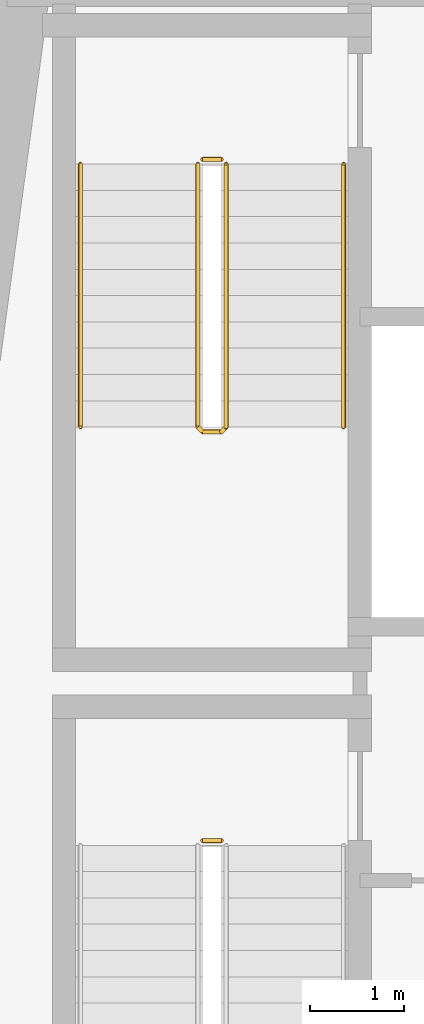
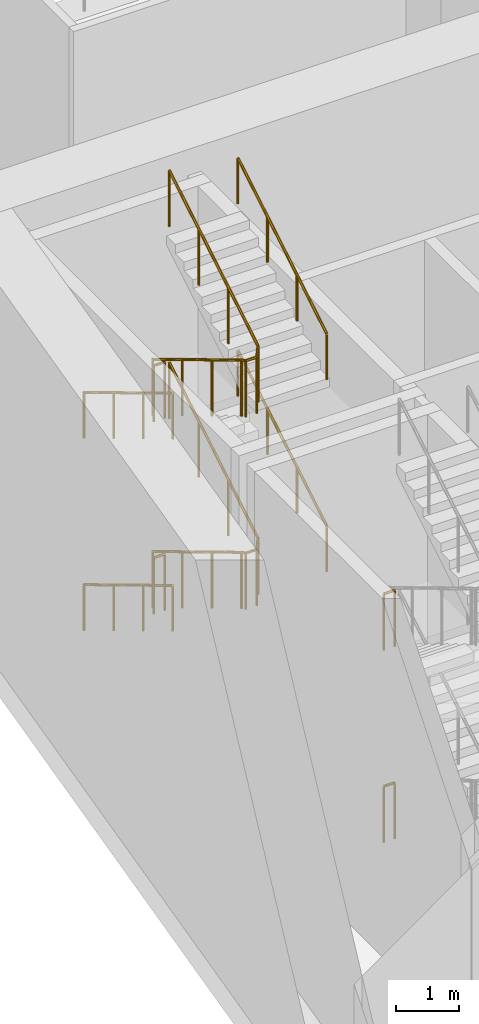
# One storey, part 8 of 10: 10 railings.
"""IFC4 building model written with IfcOpenShell, lengths in metres."""

import ifcopenshell
import ifcopenshell.guid

model = None  # the IFC model being written
_history = None  # IfcOwnerHistory: only IFC2X3 demands one
_inside = {}  # id of a spatial element -> (the spatial element, [elements in it])
_under = {}  # id of a project, library or spatial element -> (it, [spatial elements below it])
_declared = {}  # id of a project -> (the project, [libraries it declares])
_typed = {}  # id of a type object -> (the type object, [elements of that type])
_made_of = {}  # id of a material, layer set ... -> (it, [elements and type objects made of it])


def new_model(schema):
    """Start an empty IFC model of exactly this schema.

    Asked for "IFC4X3", IfcOpenShell would pick the latest addendum, in which some entities
    have other attributes; the version numbers below select the first issue.
    IFC2X3 requires an IfcOwnerHistory on every rooted entity: one is made here for all.
    """
    global model, _history
    if schema == "IFC4X3":
        model = ifcopenshell.file(schema_version=(4, 3, 0, 0))
    else:
        model = ifcopenshell.file(schema=schema)
    _inside.clear()
    _under.clear()
    _declared.clear()
    _typed.clear()
    _made_of.clear()
    _history = None
    if model.schema == "IFC2X3":
        org = make("IfcOrganization", Name="unknown")
        user = make(
            "IfcPersonAndOrganization",
            ThePerson=make("IfcPerson", FamilyName="unknown"),
            TheOrganization=org,
        )
        app = make(
            "IfcApplication",
            ApplicationDeveloper=org,
            Version="unknown",
            ApplicationFullName="unknown",
            ApplicationIdentifier="unknown",
        )
        _history = make(
            "IfcOwnerHistory",
            OwningUser=user,
            OwningApplication=app,
            ChangeAction="ADDED",
            CreationDate=0,
        )
    return model


def make(cls, **values):
    """One entity of the class cls with the attributes given. An attribute that is None is left unset."""
    return model.create_entity(
        cls, **{name: value for name, value in values.items() if value is not None}
    )


def rooted(cls, **values):
    """An entity with a GlobalId (a new one), such as an element, a storey or a relation."""
    return make(cls, GlobalId=ifcopenshell.guid.new(), OwnerHistory=_history, **values)


def si_unit(unit_type, name, prefix=None):
    """IfcSIUnit, for example si_unit("LENGTHUNIT", "METRE", prefix="MILLI")."""
    return make("IfcSIUnit", UnitType=unit_type, Prefix=prefix, Name=name)


def assignment(units):
    """IfcUnitAssignment: the units of a project."""
    return None if units is None else make("IfcUnitAssignment", Units=units)


def point(xyz):
    """IfcCartesianPoint."""
    return None if xyz is None else make("IfcCartesianPoint", Coordinates=xyz)


def direction(xyz):
    """IfcDirection."""
    return None if xyz is None else make("IfcDirection", DirectionRatios=xyz)


def frame(location, z_axis=None, x_axis=None):
    """IfcAxis2Placement3D, a coordinate frame: its origin and axes. An axis left out is left unset."""
    return make(
        "IfcAxis2Placement3D",
        Location=point(location),
        Axis=direction(z_axis),
        RefDirection=direction(x_axis),
    )


def frame_2d(location, x_axis=None):
    """IfcAxis2Placement2D, a coordinate frame in the plane: its origin and x axis."""
    return make(
        "IfcAxis2Placement2D", Location=point(location), RefDirection=direction(x_axis)
    )


def origin():
    """The frame at (0, 0, 0) with its axes left unset."""
    return frame((0.0, 0.0, 0.0))


def origin_2d():
    """The frame at (0, 0) in the plane with its x axis left unset."""
    return frame_2d((0.0, 0.0))


def place(relative_to, where):
    """IfcLocalPlacement: puts the frame where relative to a parent placement (None: the world)."""
    return make(
        "IfcLocalPlacement", PlacementRelTo=relative_to, RelativePlacement=where
    )


def context(
    kind, dimensions, precision=None, world=None, true_north=None, identifier=None
):
    """IfcGeometricRepresentationContext, for example the 3D "Model" context."""
    return make(
        "IfcGeometricRepresentationContext",
        ContextIdentifier=identifier,
        ContextType=kind,
        CoordinateSpaceDimension=dimensions,
        Precision=precision,
        WorldCoordinateSystem=world,
        TrueNorth=true_north,
    )


def subcontext(parent, identifier, kind, view, scale=None):
    """IfcGeometricRepresentationSubContext, for example "Body" below "Model"."""
    return make(
        "IfcGeometricRepresentationSubContext",
        ContextIdentifier=identifier,
        ContextType=kind,
        ParentContext=parent,
        TargetScale=scale,
        TargetView=view,
    )


def project(units=None, contexts=None):
    """IfcProject with its units and contexts."""
    return rooted(
        "IfcProject",
        Name="project",
        RepresentationContexts=contexts,
        UnitsInContext=assignment(units),
    )


def spatial(cls, under=None, at=None, **own):
    """A site, building, storey or space (cls), placed at a placement, below another one or the project."""
    s = rooted(cls, ObjectPlacement=at, **own)
    if under is not None:
        _under.setdefault(under.id(), (under, []))[1].append(s)
    return s


def profile(cls, at=None, kind="AREA", **sizes):
    """A parametric profile (cls). Its sizes go by their IFC names, for example OverallWidth=200.0."""
    return make(cls, ProfileType=kind, Position=at, **sizes)


def circle(**sizes):
    """IfcCircleProfileDef."""
    return profile("IfcCircleProfileDef", **sizes)


def extrude(swept, where, along, depth):
    """IfcExtrudedAreaSolid: the profile swept, set in the frame where, extruded along a direction by depth."""
    return make(
        "IfcExtrudedAreaSolid",
        SweptArea=swept,
        Position=where,
        ExtrudedDirection=direction(along),
        Depth=depth,
    )


def shape(context_of_items, identifier, shape_type, items):
    """IfcShapeRepresentation: the items that make up one representation, for example the "Body"."""
    return make(
        "IfcShapeRepresentation",
        ContextOfItems=context_of_items,
        RepresentationIdentifier=identifier,
        RepresentationType=shape_type,
        Items=items,
    )


def material(Name=None, Category=None):
    """IfcMaterial."""
    return make("IfcMaterial", Name=Name, Category=Category)


def made_of(thing, what):
    """Note that an element or type object is made of a material, layer set ...; save() writes the relation."""
    if what is not None:
        _made_of.setdefault(what.id(), (what, []))[1].append(thing)
    return thing


def type_object(cls, material=None, **own):
    """A type object (cls), such as IfcWallType, which elements share."""
    return made_of(rooted(cls, **own), material)


def element(
    cls,
    number,
    at=None,
    inside=None,
    cuts=None,
    type_object=None,
    material=None,
    context=None,
    identifier="Body",
    shape_type=None,
    held_by="IfcProductDefinitionShape",
    body=None,
    shapes=None,
    **own,
):
    """One element of the class cls, such as IfcWall. Its Tag is "e" and its number.

    at: its placement. inside: the storey or other place that contains it. cuts: it is an
    opening in that element (IfcRelVoidsElement). A single representation is given by context,
    identifier, shape_type and body (its items); several are given by shapes. held_by: the class
    of the entity that holds the representations. save() writes the other relations.
    """
    e = rooted(cls, Tag="e%d" % number, ObjectPlacement=at, **own)
    if body is not None:
        shapes = [shape(context, identifier, shape_type, body)]
    if shapes is not None:
        e.Representation = make(held_by, Representations=shapes)
    if inside is not None:
        _inside.setdefault(inside.id(), (inside, []))[1].append(e)
    if cuts is not None:
        rooted(
            "IfcRelVoidsElement", RelatingBuildingElement=cuts, RelatedOpeningElement=e
        )
    if type_object is not None:
        _typed.setdefault(type_object.id(), (type_object, []))[1].append(e)
    return made_of(e, material)


def aggregate(whole, parts):
    """IfcRelAggregates: a whole, such as a stair, and the parts it consists of."""
    return rooted("IfcRelAggregates", RelatingObject=whole, RelatedObjects=parts)


def save(model, path):
    """Write the relations noted so far, then the file.

    IfcRelAggregates (storeys below a building ...), IfcRelContainedInSpatialStructure (elements
    in a storey), IfcRelDefinesByType, IfcRelAssociatesMaterial and IfcRelDeclares: one each for
    every whole, place, type object, material and project.
    """
    for whole, parts in _under.values():
        aggregate(whole, parts)
    for where, things in _inside.values():
        rooted(
            "IfcRelContainedInSpatialStructure",
            RelatedElements=things,
            RelatingStructure=where,
        )
    for kind, things in _typed.values():
        rooted("IfcRelDefinesByType", RelatedObjects=things, RelatingType=kind)
    for what, things in _made_of.values():
        rooted("IfcRelAssociatesMaterial", RelatedObjects=things, RelatingMaterial=what)
    for by, libraries in _declared.values():
        rooted("IfcRelDeclares", RelatingContext=by, RelatedDefinitions=libraries)
    model.write(path)


model = new_model("IFC4")

# Units and contexts
model_context = context("Model", 3, precision=1e-05, world=origin(), true_north=direction((0.0, 1.0)))
body_context = subcontext(model_context, "Body", "Model", "MODEL_VIEW")
ifc_project = project(units=[si_unit("LENGTHUNIT", "METRE"), si_unit("AREAUNIT", "SQUARE_METRE"), si_unit("VOLUMEUNIT", "CUBIC_METRE"), si_unit("PLANEANGLEUNIT", "RADIAN"), si_unit("MASSUNIT", "GRAM", prefix="KILO")], contexts=[model_context])

# Site, building, storey
site_placement = place(None, origin())
site = spatial("IfcSite", under=ifc_project, at=site_placement, CompositionType="ELEMENT")
building_placement = place(site_placement, origin())
building = spatial("IfcBuilding", under=site, at=building_placement, Name="Candeia Pilgrim Tower and Theatre", CompositionType="ELEMENT")
storey_placement = place(building_placement, frame((0.0, 0.0, 135.39990234375)))
storey = spatial("IfcBuildingStorey", under=building, at=storey_placement, Name="L32", CompositionType="ELEMENT", Elevation=135.39990234375)

# Railings
ifc_material_1 = material(Name="Stainless steel balustrade", Category="steel")
railing_type_1 = type_object("IfcRailingType", Name="RL-GUARD-1100", PredefinedType="GUARDRAIL", material=ifc_material_1)
for number, where, name in (
    (1, (91.152099609375, 122.52490234375, 3.7001953125), "L32 ST1 stair guard 2"),
    (2, (91.152099609375, 122.52490234375, 0.0), "L32 ST1 stair guard 4"),
):
    element("IfcRailing", number, at=place(storey_placement, frame(where)), inside=storey, type_object=railing_type_1, Name=name, PredefinedType="GUARDRAIL", context=body_context, shape_type="SweptSolid", body=[
        extrude(circle(Radius=0.02392578125, at=origin_2d()), frame((0.0, 0.0, 1.076171875), z_axis=(1.0, 0.0, 0.0), x_axis=(0.0, 1.0, 0.0)), (0.0, 0.0, 1.0), 0.199951171875),
        extrude(circle(Radius=0.02099609375, at=origin_2d()), origin(), (0.0, 0.0, 1.0), 1.052001953125),
        extrude(circle(Radius=0.02099609375, at=origin_2d()), frame((0.199951171875, 0.0, 0.0)), (0.0, 0.0, 1.0), 1.052001953125),
    ])
railing_1_placement = place(storey_placement, frame((91.10205078125, 129.72509765625, 0.168212890625)))
element("IfcRailing", 3, at=railing_1_placement, inside=storey, type_object=railing_type_1, Name="L32 ST2 stair guard 1", PredefinedType="GUARDRAIL", context=body_context, shape_type="SweptSolid", body=[
    extrude(circle(Radius=0.02392578125, at=origin_2d()), frame((0.0, 0.0, 1.076171875), z_axis=(0.0, -0.857242210791, 0.514913383045), x_axis=(1.0, 0.0, 0.0)), (0.0, 0.0, 1.0), 3.266357421875),
    extrude(circle(Radius=0.02392578125, at=origin_2d()), frame((0.0, -2.800048828125, 2.7578125), z_axis=(0.707106781187, -0.707106781187, 0.0), x_axis=(0.707106781187, 0.707106781187, 0.0)), (0.0, 0.0, 1.0), 0.07080078125),
    extrude(circle(Radius=0.02392578125, at=origin_2d()), frame((0.050048828125, -2.85009765625, 2.7578125), z_axis=(1.0, 0.0, 0.0), x_axis=(0.0, 1.0, 0.0)), (0.0, 0.0, 1.0), 0.199951171875),
    extrude(circle(Radius=0.02392578125, at=origin_2d()), frame((0.25, -2.85009765625, 2.7578125), z_axis=(0.274243871929, 0.274243871929, 0.92172696468), x_axis=(-0.707106781187, 0.707106781187, 0.0)), (0.0, 0.0, 1.0), 0.1826171875),
    extrude(circle(Radius=0.02392578125, at=origin_2d()), frame((0.300048828125, -2.800048828125, 2.92626953125), z_axis=(0.0, 0.857242210791, 0.514913383045), x_axis=(-1.0, 0.0, 0.0)), (0.0, 0.0, 1.0), 3.266357421875),
    extrude(circle(Radius=0.02099609375, at=origin_2d()), origin(), (0.0, 0.0, 1.0), 1.052001953125),
    extrude(circle(Radius=0.02099609375, at=origin_2d()), frame((0.0, -0.933349609375, 0.560546875)), (0.0, 0.0, 1.0), 1.052001953125),
    extrude(circle(Radius=0.02099609375, at=origin_2d()), frame((0.0, -1.86669921875, 1.121337890625)), (0.0, 0.0, 1.0), 1.052001953125),
    extrude(circle(Radius=0.02099609375, at=origin_2d()), frame((0.0, -2.800048828125, 1.681884765625)), (0.0, 0.0, 1.0), 1.052001953125),
    extrude(circle(Radius=0.02099609375, at=origin_2d()), frame((0.050048828125, -2.85009765625, 1.681884765625)), (0.0, 0.0, 1.0), 1.052001953125),
    extrude(circle(Radius=0.02099609375, at=origin_2d()), frame((0.25, -2.85009765625, 1.681884765625)), (0.0, 0.0, 1.0), 1.052001953125),
    extrude(circle(Radius=0.02099609375, at=origin_2d()), frame((0.300048828125, -2.800048828125, 1.85009765625)), (0.0, 0.0, 1.0), 1.052001953125),
    extrude(circle(Radius=0.02099609375, at=origin_2d()), frame((0.300048828125, -1.86669921875, 2.41064453125)), (0.0, 0.0, 1.0), 1.052001953125),
    extrude(circle(Radius=0.02099609375, at=origin_2d()), frame((0.300048828125, -0.933349609375, 2.971435546875)), (0.0, 0.0, 1.0), 1.052001953125),
    extrude(circle(Radius=0.02099609375, at=origin_2d()), frame((0.300048828125, 0.0, 3.531982421875)), (0.0, 0.0, 1.0), 1.052001953125),
])
railing_2_placement = place(storey_placement, frame((91.152099609375, 129.77490234375, 3.7001953125)))
element("IfcRailing", 4, at=railing_2_placement, inside=storey, type_object=railing_type_1, Name="L32 ST2 stair guard 2", PredefinedType="GUARDRAIL", context=body_context, shape_type="SweptSolid", body=[
    extrude(circle(Radius=0.02392578125, at=origin_2d()), frame((0.0, 0.0, 1.076171875), z_axis=(1.0, 0.0, 0.0), x_axis=(0.0, 1.0, 0.0)), (0.0, 0.0, 1.0), 0.199951171875),
    extrude(circle(Radius=0.02099609375, at=origin_2d()), origin(), (0.0, 0.0, 1.0), 1.052001953125),
    extrude(circle(Radius=0.02099609375, at=origin_2d()), frame((0.199951171875, 0.0, 0.0)), (0.0, 0.0, 1.0), 1.052001953125),
])
railing_3_placement = place(storey_placement, frame((91.10205078125, 129.72509765625, 3.8681640625)))
element("IfcRailing", 5, at=railing_3_placement, inside=storey, type_object=railing_type_1, Name="L32 ST2 stair guard 3", PredefinedType="GUARDRAIL", context=body_context, shape_type="SweptSolid", body=[
    extrude(circle(Radius=0.02392578125, at=origin_2d()), frame((0.0, 0.0, 1.076171875), z_axis=(0.0, -0.857242210791, 0.514913383045), x_axis=(1.0, 0.0, 0.0)), (0.0, 0.0, 1.0), 3.266357421875),
    extrude(circle(Radius=0.02392578125, at=origin_2d()), frame((0.0, -2.800048828125, 2.7578125), z_axis=(0.707106781187, -0.707106781187, 0.0), x_axis=(0.707106781187, 0.707106781187, 0.0)), (0.0, 0.0, 1.0), 0.07080078125),
    extrude(circle(Radius=0.02392578125, at=origin_2d()), frame((0.050048828125, -2.85009765625, 2.7578125), z_axis=(1.0, 0.0, 0.0), x_axis=(0.0, 1.0, 0.0)), (0.0, 0.0, 1.0), 0.199951171875),
    extrude(circle(Radius=0.02392578125, at=origin_2d()), frame((0.25, -2.85009765625, 2.7578125), z_axis=(0.274243871929, 0.274243871929, 0.92172696468), x_axis=(-0.707106781187, 0.707106781187, 0.0)), (0.0, 0.0, 1.0), 0.1826171875),
    extrude(circle(Radius=0.02392578125, at=origin_2d()), frame((0.300048828125, -2.800048828125, 2.92626953125), z_axis=(0.0, 0.857242210791, 0.514913383045), x_axis=(-1.0, 0.0, 0.0)), (0.0, 0.0, 1.0), 3.266357421875),
    extrude(circle(Radius=0.02099609375, at=origin_2d()), origin(), (0.0, 0.0, 1.0), 1.052001953125),
    extrude(circle(Radius=0.02099609375, at=origin_2d()), frame((0.0, -0.933349609375, 0.560546875)), (0.0, 0.0, 1.0), 1.052001953125),
    extrude(circle(Radius=0.02099609375, at=origin_2d()), frame((0.0, -1.86669921875, 1.121337890625)), (0.0, 0.0, 1.0), 1.052001953125),
    extrude(circle(Radius=0.02099609375, at=origin_2d()), frame((0.0, -2.800048828125, 1.681884765625)), (0.0, 0.0, 1.0), 1.052001953125),
    extrude(circle(Radius=0.02099609375, at=origin_2d()), frame((0.050048828125, -2.85009765625, 1.681884765625)), (0.0, 0.0, 1.0), 1.052001953125),
    extrude(circle(Radius=0.02099609375, at=origin_2d()), frame((0.25, -2.85009765625, 1.681884765625)), (0.0, 0.0, 1.0), 1.052001953125),
    extrude(circle(Radius=0.02099609375, at=origin_2d()), frame((0.300048828125, -2.800048828125, 1.85009765625)), (0.0, 0.0, 1.0), 1.052001953125),
    extrude(circle(Radius=0.02099609375, at=origin_2d()), frame((0.300048828125, -1.86669921875, 2.41064453125)), (0.0, 0.0, 1.0), 1.052001953125),
    extrude(circle(Radius=0.02099609375, at=origin_2d()), frame((0.300048828125, -0.933349609375, 2.971435546875)), (0.0, 0.0, 1.0), 1.052001953125),
    extrude(circle(Radius=0.02099609375, at=origin_2d()), frame((0.300048828125, 0.0, 3.531982421875)), (0.0, 0.0, 1.0), 1.052001953125),
])
railing_4_placement = place(storey_placement, frame((91.152099609375, 129.77490234375, 0.0)))
element("IfcRailing", 6, at=railing_4_placement, inside=storey, type_object=railing_type_1, Name="L32 ST2 stair guard 4", PredefinedType="GUARDRAIL", context=body_context, shape_type="SweptSolid", body=[
    extrude(circle(Radius=0.02392578125, at=origin_2d()), frame((0.0, 0.0, 1.076171875), z_axis=(1.0, 0.0, 0.0), x_axis=(0.0, 1.0, 0.0)), (0.0, 0.0, 1.0), 0.199951171875),
    extrude(circle(Radius=0.02099609375, at=origin_2d()), origin(), (0.0, 0.0, 1.0), 1.052001953125),
    extrude(circle(Radius=0.02099609375, at=origin_2d()), frame((0.199951171875, 0.0, 0.0)), (0.0, 0.0, 1.0), 1.052001953125),
])
ifc_material_2 = material(Name="Stainless steel handrail", Category="steel")
railing_type_2 = type_object("IfcRailingType", Name="RL-HANDRAIL-900", PredefinedType="HANDRAIL", material=ifc_material_2)
railing_5_placement = place(storey_placement, frame((89.85205078125, 129.72509765625, 0.168212890625)))
element("IfcRailing", 7, at=railing_5_placement, inside=storey, type_object=railing_type_2, Name="L32 ST2 stair handrail 1", PredefinedType="HANDRAIL", context=body_context, shape_type="SweptSolid", body=[
    extrude(circle(Radius=0.02392578125, at=origin_2d()), frame((0.0, 0.0, 0.8759765625), z_axis=(0.0, -0.857242210791, 0.514913383045), x_axis=(1.0, 0.0, 0.0)), (0.0, 0.0, 1.0), 3.266357421875),
    extrude(circle(Radius=0.02099609375, at=origin_2d()), origin(), (0.0, 0.0, 1.0), 0.851806640625),
    extrude(circle(Radius=0.02099609375, at=origin_2d()), frame((0.0, -0.933349609375, 0.560546875)), (0.0, 0.0, 1.0), 0.851806640625),
    extrude(circle(Radius=0.02099609375, at=origin_2d()), frame((0.0, -1.86669921875, 1.121337890625)), (0.0, 0.0, 1.0), 0.851806640625),
    extrude(circle(Radius=0.02099609375, at=origin_2d()), frame((0.0, -2.800048828125, 1.681884765625)), (0.0, 0.0, 1.0), 0.851806640625),
])
railing_6_placement = place(storey_placement, frame((92.652099609375, 126.925048828125, 2.018310546875)))
element("IfcRailing", 8, at=railing_6_placement, inside=storey, type_object=railing_type_2, Name="L32 ST2 stair handrail 2", PredefinedType="HANDRAIL", context=body_context, shape_type="SweptSolid", body=[
    extrude(circle(Radius=0.02392578125, at=origin_2d()), frame((0.0, 0.0, 0.8759765625), z_axis=(0.0, 0.857242210791, 0.514913383045), x_axis=(-1.0, 0.0, 0.0)), (0.0, 0.0, 1.0), 3.266357421875),
    extrude(circle(Radius=0.02099609375, at=origin_2d()), origin(), (0.0, 0.0, 1.0), 0.851806640625),
    extrude(circle(Radius=0.02099609375, at=origin_2d()), frame((0.0, 0.933349609375, 0.560546875)), (0.0, 0.0, 1.0), 0.851806640625),
    extrude(circle(Radius=0.02099609375, at=origin_2d()), frame((0.0, 1.86669921875, 1.121337890625)), (0.0, 0.0, 1.0), 0.851806640625),
    extrude(circle(Radius=0.02099609375, at=origin_2d()), frame((0.0, 2.800048828125, 1.681884765625)), (0.0, 0.0, 1.0), 0.851806640625),
])
railing_7_placement = place(storey_placement, frame((89.85205078125, 129.72509765625, 3.8681640625)))
element("IfcRailing", 9, at=railing_7_placement, inside=storey, type_object=railing_type_2, Name="L32 ST2 stair handrail 3", PredefinedType="HANDRAIL", context=body_context, shape_type="SweptSolid", body=[
    extrude(circle(Radius=0.02392578125, at=origin_2d()), frame((0.0, 0.0, 0.8759765625), z_axis=(0.0, -0.857242210791, 0.514913383045), x_axis=(1.0, 0.0, 0.0)), (0.0, 0.0, 1.0), 3.266357421875),
    extrude(circle(Radius=0.02099609375, at=origin_2d()), origin(), (0.0, 0.0, 1.0), 0.851806640625),
    extrude(circle(Radius=0.02099609375, at=origin_2d()), frame((0.0, -0.933349609375, 0.560546875)), (0.0, 0.0, 1.0), 0.851806640625),
    extrude(circle(Radius=0.02099609375, at=origin_2d()), frame((0.0, -1.86669921875, 1.121337890625)), (0.0, 0.0, 1.0), 0.851806640625),
    extrude(circle(Radius=0.02099609375, at=origin_2d()), frame((0.0, -2.800048828125, 1.681884765625)), (0.0, 0.0, 1.0), 0.851806640625),
])
railing_8_placement = place(storey_placement, frame((92.652099609375, 126.925048828125, 5.71826171875)))
element("IfcRailing", 10, at=railing_8_placement, inside=storey, type_object=railing_type_2, Name="L32 ST2 stair handrail 4", PredefinedType="HANDRAIL", context=body_context, shape_type="SweptSolid", body=[
    extrude(circle(Radius=0.02392578125, at=origin_2d()), frame((0.0, 0.0, 0.8759765625), z_axis=(0.0, 0.857242210791, 0.514913383045), x_axis=(-1.0, 0.0, 0.0)), (0.0, 0.0, 1.0), 3.266357421875),
    extrude(circle(Radius=0.02099609375, at=origin_2d()), origin(), (0.0, 0.0, 1.0), 0.851806640625),
    extrude(circle(Radius=0.02099609375, at=origin_2d()), frame((0.0, 0.933349609375, 0.560546875)), (0.0, 0.0, 1.0), 0.851806640625),
    extrude(circle(Radius=0.02099609375, at=origin_2d()), frame((0.0, 1.86669921875, 1.121337890625)), (0.0, 0.0, 1.0), 0.851806640625),
    extrude(circle(Radius=0.02099609375, at=origin_2d()), frame((0.0, 2.800048828125, 1.681884765625)), (0.0, 0.0, 1.0), 0.851806640625),
])

save(model, "model.ifc")
